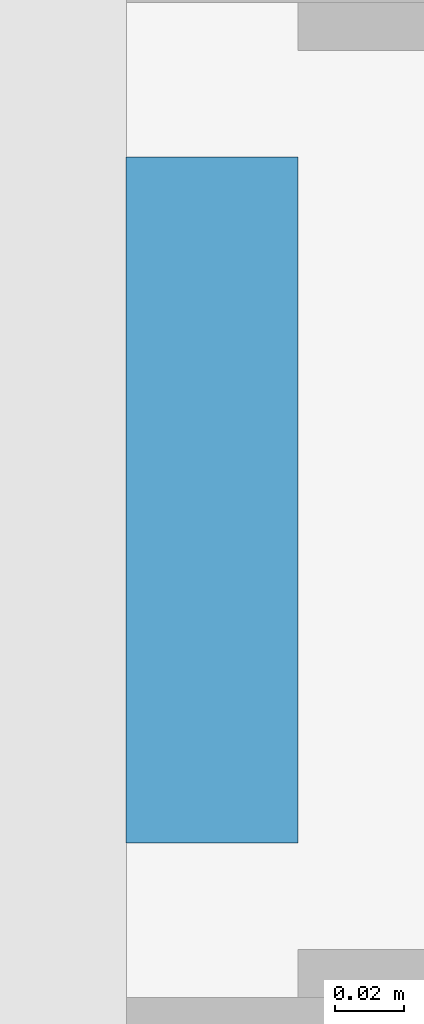
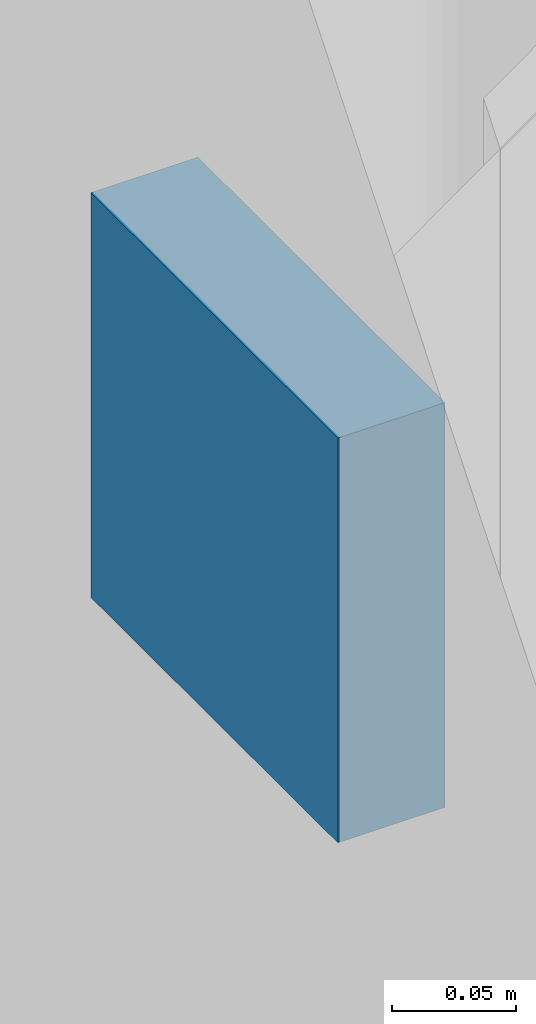
# One storey, part 104 of 131: 1 discrete accessory.
"""IFC4 building model written with IfcOpenShell, lengths in metres."""

from ifc_helpers import new_model, si_unit, direction, frame, origin, origin_2d, place, context, subcontext, project, spatial, rectangle, extrude, material, type_object, element, save


model = new_model("IFC4")

# Units and contexts
model_context = context("Model", 3, precision=1e-05, world=origin(), true_north=direction((0.0, 1.0)))
body_context = subcontext(model_context, "Body", "Model", "MODEL_VIEW")
ifc_project = project(units=[si_unit("LENGTHUNIT", "METRE"), si_unit("AREAUNIT", "SQUARE_METRE"), si_unit("VOLUMEUNIT", "CUBIC_METRE"), si_unit("PLANEANGLEUNIT", "RADIAN"), si_unit("MASSUNIT", "GRAM", prefix="KILO")], contexts=[model_context])

# Site, building, storey
site_placement = place(None, origin())
site = spatial("IfcSite", under=ifc_project, at=site_placement, CompositionType="ELEMENT")
building_placement = place(site_placement, origin())
building = spatial("IfcBuilding", under=site, at=building_placement, Name="Golden Quay Civic Hall", CompositionType="ELEMENT")
storey_placement = place(building_placement, frame((0.0, 0.0, 9.89990234375)))
storey = spatial("IfcBuildingStorey", under=building, at=storey_placement, Name="L02", CompositionType="ELEMENT", Elevation=9.89990234375)

# Discrete accessory
ifc_material = material(Name="Steel S355", Category="steel")
discrete_accessory_type = type_object("IfcDiscreteAccessoryType", Name="Pier fixing bracket 200 x 200", PredefinedType="BRACKET", material=ifc_material)
discrete_accessory_placement = place(storey_placement, frame((-0.175048828125, 63.0, 1.39990234375), z_axis=(0.0, 0.0, 1.0), x_axis=(0.0, -1.0, 0.0)))
element("IfcDiscreteAccessory", 1, at=discrete_accessory_placement, inside=storey, type_object=discrete_accessory_type, Name="Pier fixing bracket 200 x 200 L02 7", PredefinedType="BRACKET", context=body_context, shape_type="SweptSolid", body=[
    extrude(rectangle(XDim=0.199951171875, YDim=0.050048828125, at=origin_2d()), origin(), (0.0, 0.0, 1.0), 0.199951171875),
])

save(model, "model.ifc")
